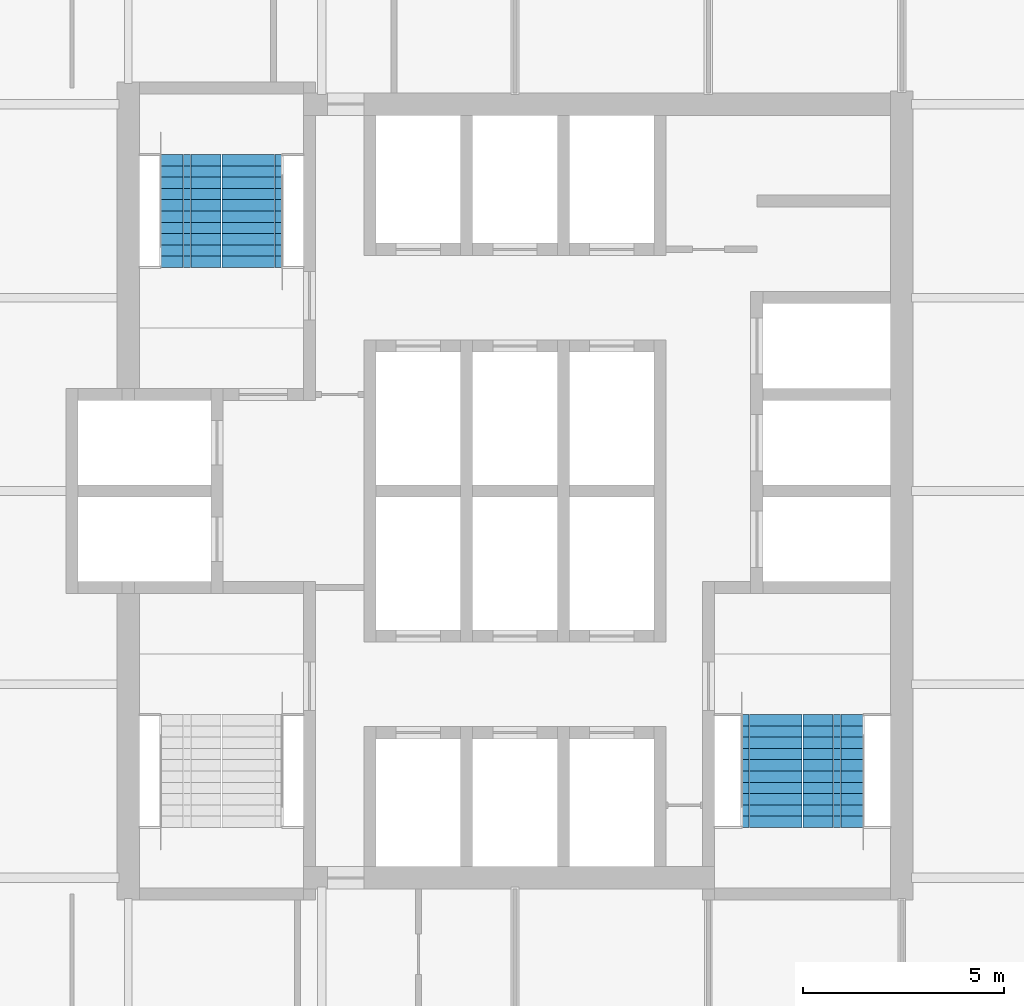
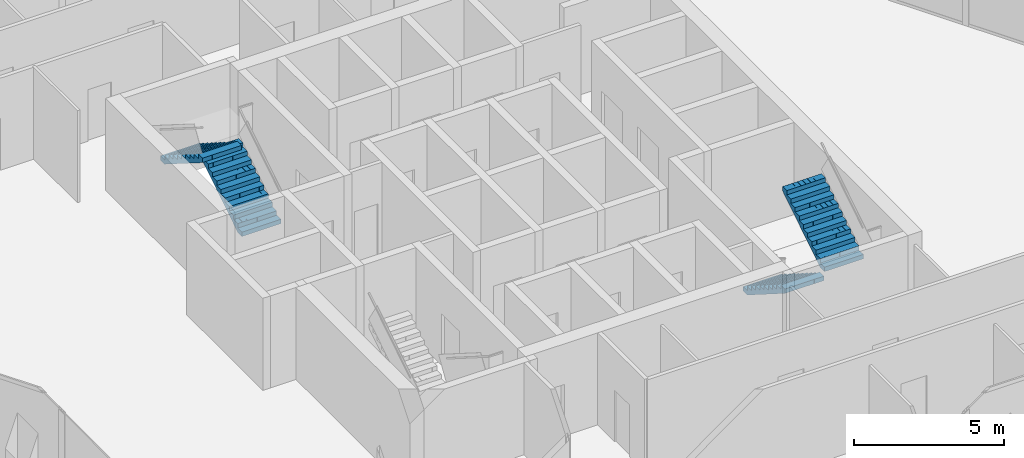
# One storey, part 11 of 13: 4 stair flights, 2 elements without a shape of their own.
"""IFC4 building model written with IfcOpenShell, lengths in metres."""

import ifcopenshell
import ifcopenshell.guid

model = None  # the IFC model being written
_history = None  # IfcOwnerHistory: only IFC2X3 demands one
_inside = {}  # id of a spatial element -> (the spatial element, [elements in it])
_under = {}  # id of a project, library or spatial element -> (it, [spatial elements below it])
_declared = {}  # id of a project -> (the project, [libraries it declares])
_typed = {}  # id of a type object -> (the type object, [elements of that type])
_made_of = {}  # id of a material, layer set ... -> (it, [elements and type objects made of it])


def new_model(schema):
    """Start an empty IFC model of exactly this schema.

    Asked for "IFC4X3", IfcOpenShell would pick the latest addendum, in which some entities
    have other attributes; the version numbers below select the first issue.
    IFC2X3 requires an IfcOwnerHistory on every rooted entity: one is made here for all.
    """
    global model, _history
    if schema == "IFC4X3":
        model = ifcopenshell.file(schema_version=(4, 3, 0, 0))
    else:
        model = ifcopenshell.file(schema=schema)
    _inside.clear()
    _under.clear()
    _declared.clear()
    _typed.clear()
    _made_of.clear()
    _history = None
    if model.schema == "IFC2X3":
        org = make("IfcOrganization", Name="unknown")
        user = make(
            "IfcPersonAndOrganization",
            ThePerson=make("IfcPerson", FamilyName="unknown"),
            TheOrganization=org,
        )
        app = make(
            "IfcApplication",
            ApplicationDeveloper=org,
            Version="unknown",
            ApplicationFullName="unknown",
            ApplicationIdentifier="unknown",
        )
        _history = make(
            "IfcOwnerHistory",
            OwningUser=user,
            OwningApplication=app,
            ChangeAction="ADDED",
            CreationDate=0,
        )
    return model


def make(cls, **values):
    """One entity of the class cls with the attributes given. An attribute that is None is left unset."""
    return model.create_entity(
        cls, **{name: value for name, value in values.items() if value is not None}
    )


def rooted(cls, **values):
    """An entity with a GlobalId (a new one), such as an element, a storey or a relation."""
    return make(cls, GlobalId=ifcopenshell.guid.new(), OwnerHistory=_history, **values)


def si_unit(unit_type, name, prefix=None):
    """IfcSIUnit, for example si_unit("LENGTHUNIT", "METRE", prefix="MILLI")."""
    return make("IfcSIUnit", UnitType=unit_type, Prefix=prefix, Name=name)


def assignment(units):
    """IfcUnitAssignment: the units of a project."""
    return None if units is None else make("IfcUnitAssignment", Units=units)


def point(xyz):
    """IfcCartesianPoint."""
    return None if xyz is None else make("IfcCartesianPoint", Coordinates=xyz)


def direction(xyz):
    """IfcDirection."""
    return None if xyz is None else make("IfcDirection", DirectionRatios=xyz)


def frame(location, z_axis=None, x_axis=None):
    """IfcAxis2Placement3D, a coordinate frame: its origin and axes. An axis left out is left unset."""
    return make(
        "IfcAxis2Placement3D",
        Location=point(location),
        Axis=direction(z_axis),
        RefDirection=direction(x_axis),
    )


def origin():
    """The frame at (0, 0, 0) with its axes left unset."""
    return frame((0.0, 0.0, 0.0))


def place(relative_to, where):
    """IfcLocalPlacement: puts the frame where relative to a parent placement (None: the world)."""
    return make(
        "IfcLocalPlacement", PlacementRelTo=relative_to, RelativePlacement=where
    )


def context(
    kind, dimensions, precision=None, world=None, true_north=None, identifier=None
):
    """IfcGeometricRepresentationContext, for example the 3D "Model" context."""
    return make(
        "IfcGeometricRepresentationContext",
        ContextIdentifier=identifier,
        ContextType=kind,
        CoordinateSpaceDimension=dimensions,
        Precision=precision,
        WorldCoordinateSystem=world,
        TrueNorth=true_north,
    )


def subcontext(parent, identifier, kind, view, scale=None):
    """IfcGeometricRepresentationSubContext, for example "Body" below "Model"."""
    return make(
        "IfcGeometricRepresentationSubContext",
        ContextIdentifier=identifier,
        ContextType=kind,
        ParentContext=parent,
        TargetScale=scale,
        TargetView=view,
    )


def project(units=None, contexts=None):
    """IfcProject with its units and contexts."""
    return rooted(
        "IfcProject",
        Name="project",
        RepresentationContexts=contexts,
        UnitsInContext=assignment(units),
    )


def spatial(cls, under=None, at=None, **own):
    """A site, building, storey or space (cls), placed at a placement, below another one or the project."""
    s = rooted(cls, ObjectPlacement=at, **own)
    if under is not None:
        _under.setdefault(under.id(), (under, []))[1].append(s)
    return s


def polyline(points):
    """IfcPolyline through the points."""
    return make("IfcPolyline", Points=[point(p) for p in points])


def outline(outer, holes=None, kind="AREA"):
    """IfcArbitraryClosedProfileDef: a profile drawn as a closed curve; with holes, ...WithVoids."""
    if holes is None:
        return make("IfcArbitraryClosedProfileDef", ProfileType=kind, OuterCurve=outer)
    return make(
        "IfcArbitraryProfileDefWithVoids",
        ProfileType=kind,
        OuterCurve=outer,
        InnerCurves=holes,
    )


def extrude(swept, where, along, depth):
    """IfcExtrudedAreaSolid: the profile swept, set in the frame where, extruded along a direction by depth."""
    return make(
        "IfcExtrudedAreaSolid",
        SweptArea=swept,
        Position=where,
        ExtrudedDirection=direction(along),
        Depth=depth,
    )


def shape(context_of_items, identifier, shape_type, items):
    """IfcShapeRepresentation: the items that make up one representation, for example the "Body"."""
    return make(
        "IfcShapeRepresentation",
        ContextOfItems=context_of_items,
        RepresentationIdentifier=identifier,
        RepresentationType=shape_type,
        Items=items,
    )


def material(Name=None, Category=None):
    """IfcMaterial."""
    return make("IfcMaterial", Name=Name, Category=Category)


def made_of(thing, what):
    """Note that an element or type object is made of a material, layer set ...; save() writes the relation."""
    if what is not None:
        _made_of.setdefault(what.id(), (what, []))[1].append(thing)
    return thing


def type_object(cls, material=None, **own):
    """A type object (cls), such as IfcWallType, which elements share."""
    return made_of(rooted(cls, **own), material)


def element(
    cls,
    number,
    at=None,
    inside=None,
    cuts=None,
    type_object=None,
    material=None,
    context=None,
    identifier="Body",
    shape_type=None,
    held_by="IfcProductDefinitionShape",
    body=None,
    shapes=None,
    **own,
):
    """One element of the class cls, such as IfcWall. Its Tag is "e" and its number.

    at: its placement. inside: the storey or other place that contains it. cuts: it is an
    opening in that element (IfcRelVoidsElement). A single representation is given by context,
    identifier, shape_type and body (its items); several are given by shapes. held_by: the class
    of the entity that holds the representations. save() writes the other relations.
    """
    e = rooted(cls, Tag="e%d" % number, ObjectPlacement=at, **own)
    if body is not None:
        shapes = [shape(context, identifier, shape_type, body)]
    if shapes is not None:
        e.Representation = make(held_by, Representations=shapes)
    if inside is not None:
        _inside.setdefault(inside.id(), (inside, []))[1].append(e)
    if cuts is not None:
        rooted(
            "IfcRelVoidsElement", RelatingBuildingElement=cuts, RelatedOpeningElement=e
        )
    if type_object is not None:
        _typed.setdefault(type_object.id(), (type_object, []))[1].append(e)
    return made_of(e, material)


def aggregate(whole, parts):
    """IfcRelAggregates: a whole, such as a stair, and the parts it consists of."""
    return rooted("IfcRelAggregates", RelatingObject=whole, RelatedObjects=parts)


def save(model, path):
    """Write the relations noted so far, then the file.

    IfcRelAggregates (storeys below a building ...), IfcRelContainedInSpatialStructure (elements
    in a storey), IfcRelDefinesByType, IfcRelAssociatesMaterial and IfcRelDeclares: one each for
    every whole, place, type object, material and project.
    """
    for whole, parts in _under.values():
        aggregate(whole, parts)
    for where, things in _inside.values():
        rooted(
            "IfcRelContainedInSpatialStructure",
            RelatedElements=things,
            RelatingStructure=where,
        )
    for kind, things in _typed.values():
        rooted("IfcRelDefinesByType", RelatedObjects=things, RelatingType=kind)
    for what, things in _made_of.values():
        rooted("IfcRelAssociatesMaterial", RelatedObjects=things, RelatingMaterial=what)
    for by, libraries in _declared.values():
        rooted("IfcRelDeclares", RelatingContext=by, RelatedDefinitions=libraries)
    model.write(path)


model = new_model("IFC4")

# Units and contexts
model_context = context("Model", 3, precision=1e-05, world=origin(), true_north=direction((0.0, 1.0)))
body_context = subcontext(model_context, "Body", "Model", "MODEL_VIEW")
ifc_project = project(units=[si_unit("LENGTHUNIT", "METRE"), si_unit("AREAUNIT", "SQUARE_METRE"), si_unit("VOLUMEUNIT", "CUBIC_METRE"), si_unit("PLANEANGLEUNIT", "RADIAN"), si_unit("MASSUNIT", "GRAM", prefix="KILO")], contexts=[model_context])

# Site, building, storey
site_placement = place(None, origin())
site = spatial("IfcSite", under=ifc_project, at=site_placement, CompositionType="ELEMENT")
building_placement = place(site_placement, origin())
building = spatial("IfcBuilding", under=site, at=building_placement, Name="Kolab Exchange Tower", CompositionType="ELEMENT")
storey_placement = place(building_placement, frame((0.0, 0.0, 289.10009765625)))
storey = spatial("IfcBuildingStorey", under=building, at=storey_placement, Name="L65", CompositionType="ELEMENT", Elevation=289.10009765625)

# Stair, stair flights
ifc_material = material(Name="Concrete C50/60", Category="concrete")
stair_type_1 = type_object("IfcStairType", Name="STAIR ST1 RISER 177.3", PredefinedType="HALF_TURN_STAIR", material=ifc_material)
stair_1_placement = place(storey_placement, origin())
stair_1 = element("IfcStair", 1, at=stair_1_placement, inside=storey, type_object=stair_type_1, Name="Stair 1", PredefinedType="HALF_TURN_STAIR")
stair_flight_type = type_object("IfcStairFlightType", Name="STAIR FLIGHT 1500 RISER 177.3", PredefinedType="STRAIGHT", material=ifc_material)
stair_flight_1_placement = place(storey_placement, frame((-6.527587890625, 5.550048828125, 0.0), z_axis=(0.0, 0.0, 1.0), x_axis=(0.0, 1.0, 0.0)))
stair_flight_1 = element("IfcStairFlight", 2, at=stair_flight_1_placement, type_object=stair_flight_type, Name="ST1 flight 1", NumberOfRisers=11, NumberOfTreads=10, PredefinedType="STRAIGHT", RiserHeight=0.177272727, TreadLength=0.28, context=body_context, shape_type="SweptSolid", body=[
    extrude(outline(polyline([(0.0, 0.0), (0.0, 0.17724609375), (0.280029296875, 0.17724609375), (0.280029296875, 0.3544921875), (0.56005859375, 0.3544921875), (0.56005859375, 0.53173828125), (0.840087890625, 0.53173828125), (0.840087890625, 0.708984375), (1.1201171875, 0.708984375), (1.1201171875, 0.886474609375), (1.39990234375, 0.886474609375), (1.39990234375, 1.063720703125), (1.679931640625, 1.063720703125), (1.679931640625, 1.240966796875), (1.9599609375, 1.240966796875), (1.9599609375, 1.418212890625), (2.239990234375, 1.418212890625), (2.239990234375, 1.595458984375), (2.52001953125, 1.595458984375), (2.52001953125, 1.772705078125), (2.800048828125, 1.772705078125), (2.800048828125, 1.949951171875), (2.800048828125, 1.59521484375), (0.2802734375, 0.0), (0.0, 0.0)])), frame((0.0, 0.75, 0.0), z_axis=(0.0, -1.0, 0.0), x_axis=(1.0, 0.0, 0.0)), (0.0, 0.0, 1.0), 0.185791015625),
    extrude(outline(polyline([(0.0, 0.0), (0.0, 0.17724609375), (0.280029296875, 0.17724609375), (0.280029296875, 0.3544921875), (0.56005859375, 0.3544921875), (0.56005859375, 0.53173828125), (0.840087890625, 0.53173828125), (0.840087890625, 0.708984375), (1.1201171875, 0.708984375), (1.1201171875, 0.886474609375), (1.39990234375, 0.886474609375), (1.39990234375, 1.063720703125), (1.679931640625, 1.063720703125), (1.679931640625, 1.240966796875), (1.9599609375, 1.240966796875), (1.9599609375, 1.418212890625), (2.239990234375, 1.418212890625), (2.239990234375, 1.595458984375), (2.52001953125, 1.595458984375), (2.52001953125, 1.772705078125), (2.800048828125, 1.772705078125), (2.800048828125, 1.949951171875), (2.800048828125, 1.59521484375), (0.2802734375, 0.0), (0.0, 0.0)])), frame((0.0, 0.562255859375, 0.0), z_axis=(0.0, -1.0, 0.0), x_axis=(1.0, 0.0, 0.0)), (0.0, 0.0, 1.0), 0.185791015625),
    extrude(outline(polyline([(0.0, 0.0), (0.0, 0.17724609375), (0.280029296875, 0.17724609375), (0.280029296875, 0.3544921875), (0.56005859375, 0.3544921875), (0.56005859375, 0.53173828125), (0.840087890625, 0.53173828125), (0.840087890625, 0.708984375), (1.1201171875, 0.708984375), (1.1201171875, 0.886474609375), (1.39990234375, 0.886474609375), (1.39990234375, 1.063720703125), (1.679931640625, 1.063720703125), (1.679931640625, 1.240966796875), (1.9599609375, 1.240966796875), (1.9599609375, 1.418212890625), (2.239990234375, 1.418212890625), (2.239990234375, 1.595458984375), (2.52001953125, 1.595458984375), (2.52001953125, 1.772705078125), (2.800048828125, 1.772705078125), (2.800048828125, 1.949951171875), (2.800048828125, 1.59521484375), (0.2802734375, 0.0), (0.0, 0.0)])), frame((0.0, 0.37451171875, 0.0), z_axis=(0.0, -1.0, 0.0), x_axis=(1.0, 0.0, 0.0)), (0.0, 0.0, 1.0), 0.185791015625),
    extrude(outline(polyline([(0.0, 0.0), (0.0, 0.17724609375), (0.280029296875, 0.17724609375), (0.280029296875, 0.3544921875), (0.56005859375, 0.3544921875), (0.56005859375, 0.53173828125), (0.840087890625, 0.53173828125), (0.840087890625, 0.708984375), (1.1201171875, 0.708984375), (1.1201171875, 0.886474609375), (1.39990234375, 0.886474609375), (1.39990234375, 1.063720703125), (1.679931640625, 1.063720703125), (1.679931640625, 1.240966796875), (1.9599609375, 1.240966796875), (1.9599609375, 1.418212890625), (2.239990234375, 1.418212890625), (2.239990234375, 1.595458984375), (2.52001953125, 1.595458984375), (2.52001953125, 1.772705078125), (2.800048828125, 1.772705078125), (2.800048828125, 1.949951171875), (2.800048828125, 1.59521484375), (0.2802734375, 0.0), (0.0, 0.0)])), frame((0.0, 0.186767578125, 0.0), z_axis=(0.0, -1.0, 0.0), x_axis=(1.0, 0.0, 0.0)), (0.0, 0.0, 1.0), 0.185791015625),
    extrude(outline(polyline([(0.0, 0.0), (0.0, 0.17724609375), (0.280029296875, 0.17724609375), (0.280029296875, 0.3544921875), (0.56005859375, 0.3544921875), (0.56005859375, 0.53173828125), (0.840087890625, 0.53173828125), (0.840087890625, 0.708984375), (1.1201171875, 0.708984375), (1.1201171875, 0.886474609375), (1.39990234375, 0.886474609375), (1.39990234375, 1.063720703125), (1.679931640625, 1.063720703125), (1.679931640625, 1.240966796875), (1.9599609375, 1.240966796875), (1.9599609375, 1.418212890625), (2.239990234375, 1.418212890625), (2.239990234375, 1.595458984375), (2.52001953125, 1.595458984375), (2.52001953125, 1.772705078125), (2.800048828125, 1.772705078125), (2.800048828125, 1.949951171875), (2.800048828125, 1.59521484375), (0.2802734375, 0.0), (0.0, 0.0)])), frame((0.0, -0.0009765625, 0.0), z_axis=(0.0, -1.0, 0.0), x_axis=(1.0, 0.0, 0.0)), (0.0, 0.0, 1.0), 0.185791015625),
    extrude(outline(polyline([(0.0, 0.0), (0.0, 0.17724609375), (0.280029296875, 0.17724609375), (0.280029296875, 0.3544921875), (0.56005859375, 0.3544921875), (0.56005859375, 0.53173828125), (0.840087890625, 0.53173828125), (0.840087890625, 0.708984375), (1.1201171875, 0.708984375), (1.1201171875, 0.886474609375), (1.39990234375, 0.886474609375), (1.39990234375, 1.063720703125), (1.679931640625, 1.063720703125), (1.679931640625, 1.240966796875), (1.9599609375, 1.240966796875), (1.9599609375, 1.418212890625), (2.239990234375, 1.418212890625), (2.239990234375, 1.595458984375), (2.52001953125, 1.595458984375), (2.52001953125, 1.772705078125), (2.800048828125, 1.772705078125), (2.800048828125, 1.949951171875), (2.800048828125, 1.59521484375), (0.2802734375, 0.0), (0.0, 0.0)])), frame((0.0, -0.188720703125, 0.0), z_axis=(0.0, -1.0, 0.0), x_axis=(1.0, 0.0, 0.0)), (0.0, 0.0, 1.0), 0.185791015625),
    extrude(outline(polyline([(0.0, 0.0), (0.0, 0.17724609375), (0.280029296875, 0.17724609375), (0.280029296875, 0.3544921875), (0.56005859375, 0.3544921875), (0.56005859375, 0.53173828125), (0.840087890625, 0.53173828125), (0.840087890625, 0.708984375), (1.1201171875, 0.708984375), (1.1201171875, 0.886474609375), (1.39990234375, 0.886474609375), (1.39990234375, 1.063720703125), (1.679931640625, 1.063720703125), (1.679931640625, 1.240966796875), (1.9599609375, 1.240966796875), (1.9599609375, 1.418212890625), (2.239990234375, 1.418212890625), (2.239990234375, 1.595458984375), (2.52001953125, 1.595458984375), (2.52001953125, 1.772705078125), (2.800048828125, 1.772705078125), (2.800048828125, 1.949951171875), (2.800048828125, 1.59521484375), (0.2802734375, 0.0), (0.0, 0.0)])), frame((0.0, -0.37646484375, 0.0), z_axis=(0.0, -1.0, 0.0), x_axis=(1.0, 0.0, 0.0)), (0.0, 0.0, 1.0), 0.185791015625),
    extrude(outline(polyline([(0.0, 0.0), (0.0, 0.17724609375), (0.280029296875, 0.17724609375), (0.280029296875, 0.3544921875), (0.56005859375, 0.3544921875), (0.56005859375, 0.53173828125), (0.840087890625, 0.53173828125), (0.840087890625, 0.708984375), (1.1201171875, 0.708984375), (1.1201171875, 0.886474609375), (1.39990234375, 0.886474609375), (1.39990234375, 1.063720703125), (1.679931640625, 1.063720703125), (1.679931640625, 1.240966796875), (1.9599609375, 1.240966796875), (1.9599609375, 1.418212890625), (2.239990234375, 1.418212890625), (2.239990234375, 1.595458984375), (2.52001953125, 1.595458984375), (2.52001953125, 1.772705078125), (2.800048828125, 1.772705078125), (2.800048828125, 1.949951171875), (2.800048828125, 1.59521484375), (0.2802734375, 0.0), (0.0, 0.0)])), frame((0.0, -0.564208984375, 0.0), z_axis=(0.0, -1.0, 0.0), x_axis=(1.0, 0.0, 0.0)), (0.0, 0.0, 1.0), 0.185791015625),
])
stair_flight_2_placement = place(storey_placement, frame((-8.047607421875, 8.35009765625, 1.949951171875), z_axis=(0.0, 0.0, 1.0), x_axis=(0.0, -1.0, 0.0)))
stair_flight_2 = element("IfcStairFlight", 3, at=stair_flight_2_placement, type_object=stair_flight_type, Name="ST1 flight 2", NumberOfRisers=11, NumberOfTreads=10, PredefinedType="STRAIGHT", RiserHeight=0.177272727, TreadLength=0.28, context=body_context, shape_type="SweptSolid", body=[
    extrude(outline(polyline([(0.0, 0.0), (0.0, 0.17724609375), (0.280029296875, 0.17724609375), (0.280029296875, 0.3544921875), (0.56005859375, 0.3544921875), (0.56005859375, 0.53173828125), (0.840087890625, 0.53173828125), (0.840087890625, 0.708984375), (1.1201171875, 0.708984375), (1.1201171875, 0.886474609375), (1.39990234375, 0.886474609375), (1.39990234375, 1.063720703125), (1.679931640625, 1.063720703125), (1.679931640625, 1.240966796875), (1.9599609375, 1.240966796875), (1.9599609375, 1.418212890625), (2.239990234375, 1.418212890625), (2.239990234375, 1.595458984375), (2.52001953125, 1.595458984375), (2.52001953125, 1.772705078125), (2.800048828125, 1.772705078125), (2.800048828125, 1.949951171875), (2.800048828125, 1.59521484375), (0.2802734375, 0.0), (0.0, 0.0)])), frame((0.0, 0.75, 0.0), z_axis=(0.0, -1.0, 0.0), x_axis=(1.0, 0.0, 0.0)), (0.0, 0.0, 1.0), 0.185791015625),
    extrude(outline(polyline([(0.0, 0.0), (0.0, 0.17724609375), (0.280029296875, 0.17724609375), (0.280029296875, 0.3544921875), (0.56005859375, 0.3544921875), (0.56005859375, 0.53173828125), (0.840087890625, 0.53173828125), (0.840087890625, 0.708984375), (1.1201171875, 0.708984375), (1.1201171875, 0.886474609375), (1.39990234375, 0.886474609375), (1.39990234375, 1.063720703125), (1.679931640625, 1.063720703125), (1.679931640625, 1.240966796875), (1.9599609375, 1.240966796875), (1.9599609375, 1.418212890625), (2.239990234375, 1.418212890625), (2.239990234375, 1.595458984375), (2.52001953125, 1.595458984375), (2.52001953125, 1.772705078125), (2.800048828125, 1.772705078125), (2.800048828125, 1.949951171875), (2.800048828125, 1.59521484375), (0.2802734375, 0.0), (0.0, 0.0)])), frame((0.0, 0.562255859375, 0.0), z_axis=(0.0, -1.0, 0.0), x_axis=(1.0, 0.0, 0.0)), (0.0, 0.0, 1.0), 0.185791015625),
    extrude(outline(polyline([(0.0, 0.0), (0.0, 0.17724609375), (0.280029296875, 0.17724609375), (0.280029296875, 0.3544921875), (0.56005859375, 0.3544921875), (0.56005859375, 0.53173828125), (0.840087890625, 0.53173828125), (0.840087890625, 0.708984375), (1.1201171875, 0.708984375), (1.1201171875, 0.886474609375), (1.39990234375, 0.886474609375), (1.39990234375, 1.063720703125), (1.679931640625, 1.063720703125), (1.679931640625, 1.240966796875), (1.9599609375, 1.240966796875), (1.9599609375, 1.418212890625), (2.239990234375, 1.418212890625), (2.239990234375, 1.595458984375), (2.52001953125, 1.595458984375), (2.52001953125, 1.772705078125), (2.800048828125, 1.772705078125), (2.800048828125, 1.949951171875), (2.800048828125, 1.59521484375), (0.2802734375, 0.0), (0.0, 0.0)])), frame((0.0, 0.37451171875, 0.0), z_axis=(0.0, -1.0, 0.0), x_axis=(1.0, 0.0, 0.0)), (0.0, 0.0, 1.0), 0.185791015625),
    extrude(outline(polyline([(0.0, 0.0), (0.0, 0.17724609375), (0.280029296875, 0.17724609375), (0.280029296875, 0.3544921875), (0.56005859375, 0.3544921875), (0.56005859375, 0.53173828125), (0.840087890625, 0.53173828125), (0.840087890625, 0.708984375), (1.1201171875, 0.708984375), (1.1201171875, 0.886474609375), (1.39990234375, 0.886474609375), (1.39990234375, 1.063720703125), (1.679931640625, 1.063720703125), (1.679931640625, 1.240966796875), (1.9599609375, 1.240966796875), (1.9599609375, 1.418212890625), (2.239990234375, 1.418212890625), (2.239990234375, 1.595458984375), (2.52001953125, 1.595458984375), (2.52001953125, 1.772705078125), (2.800048828125, 1.772705078125), (2.800048828125, 1.949951171875), (2.800048828125, 1.59521484375), (0.2802734375, 0.0), (0.0, 0.0)])), frame((0.0, 0.186767578125, 0.0), z_axis=(0.0, -1.0, 0.0), x_axis=(1.0, 0.0, 0.0)), (0.0, 0.0, 1.0), 0.185791015625),
    extrude(outline(polyline([(0.0, 0.0), (0.0, 0.17724609375), (0.280029296875, 0.17724609375), (0.280029296875, 0.3544921875), (0.56005859375, 0.3544921875), (0.56005859375, 0.53173828125), (0.840087890625, 0.53173828125), (0.840087890625, 0.708984375), (1.1201171875, 0.708984375), (1.1201171875, 0.886474609375), (1.39990234375, 0.886474609375), (1.39990234375, 1.063720703125), (1.679931640625, 1.063720703125), (1.679931640625, 1.240966796875), (1.9599609375, 1.240966796875), (1.9599609375, 1.418212890625), (2.239990234375, 1.418212890625), (2.239990234375, 1.595458984375), (2.52001953125, 1.595458984375), (2.52001953125, 1.772705078125), (2.800048828125, 1.772705078125), (2.800048828125, 1.949951171875), (2.800048828125, 1.59521484375), (0.2802734375, 0.0), (0.0, 0.0)])), frame((0.0, -0.0009765625, 0.0), z_axis=(0.0, -1.0, 0.0), x_axis=(1.0, 0.0, 0.0)), (0.0, 0.0, 1.0), 0.185791015625),
    extrude(outline(polyline([(0.0, 0.0), (0.0, 0.17724609375), (0.280029296875, 0.17724609375), (0.280029296875, 0.3544921875), (0.56005859375, 0.3544921875), (0.56005859375, 0.53173828125), (0.840087890625, 0.53173828125), (0.840087890625, 0.708984375), (1.1201171875, 0.708984375), (1.1201171875, 0.886474609375), (1.39990234375, 0.886474609375), (1.39990234375, 1.063720703125), (1.679931640625, 1.063720703125), (1.679931640625, 1.240966796875), (1.9599609375, 1.240966796875), (1.9599609375, 1.418212890625), (2.239990234375, 1.418212890625), (2.239990234375, 1.595458984375), (2.52001953125, 1.595458984375), (2.52001953125, 1.772705078125), (2.800048828125, 1.772705078125), (2.800048828125, 1.949951171875), (2.800048828125, 1.59521484375), (0.2802734375, 0.0), (0.0, 0.0)])), frame((0.0, -0.188720703125, 0.0), z_axis=(0.0, -1.0, 0.0), x_axis=(1.0, 0.0, 0.0)), (0.0, 0.0, 1.0), 0.185791015625),
    extrude(outline(polyline([(0.0, 0.0), (0.0, 0.17724609375), (0.280029296875, 0.17724609375), (0.280029296875, 0.3544921875), (0.56005859375, 0.3544921875), (0.56005859375, 0.53173828125), (0.840087890625, 0.53173828125), (0.840087890625, 0.708984375), (1.1201171875, 0.708984375), (1.1201171875, 0.886474609375), (1.39990234375, 0.886474609375), (1.39990234375, 1.063720703125), (1.679931640625, 1.063720703125), (1.679931640625, 1.240966796875), (1.9599609375, 1.240966796875), (1.9599609375, 1.418212890625), (2.239990234375, 1.418212890625), (2.239990234375, 1.595458984375), (2.52001953125, 1.595458984375), (2.52001953125, 1.772705078125), (2.800048828125, 1.772705078125), (2.800048828125, 1.949951171875), (2.800048828125, 1.59521484375), (0.2802734375, 0.0), (0.0, 0.0)])), frame((0.0, -0.37646484375, 0.0), z_axis=(0.0, -1.0, 0.0), x_axis=(1.0, 0.0, 0.0)), (0.0, 0.0, 1.0), 0.185791015625),
    extrude(outline(polyline([(0.0, 0.0), (0.0, 0.17724609375), (0.280029296875, 0.17724609375), (0.280029296875, 0.3544921875), (0.56005859375, 0.3544921875), (0.56005859375, 0.53173828125), (0.840087890625, 0.53173828125), (0.840087890625, 0.708984375), (1.1201171875, 0.708984375), (1.1201171875, 0.886474609375), (1.39990234375, 0.886474609375), (1.39990234375, 1.063720703125), (1.679931640625, 1.063720703125), (1.679931640625, 1.240966796875), (1.9599609375, 1.240966796875), (1.9599609375, 1.418212890625), (2.239990234375, 1.418212890625), (2.239990234375, 1.595458984375), (2.52001953125, 1.595458984375), (2.52001953125, 1.772705078125), (2.800048828125, 1.772705078125), (2.800048828125, 1.949951171875), (2.800048828125, 1.59521484375), (0.2802734375, 0.0), (0.0, 0.0)])), frame((0.0, -0.564208984375, 0.0), z_axis=(0.0, -1.0, 0.0), x_axis=(1.0, 0.0, 0.0)), (0.0, 0.0, 1.0), 0.185791015625),
])
aggregate(stair_1, [stair_flight_1, stair_flight_2])

stair_type_2 = type_object("IfcStairType", Name="STAIR ST2 RISER 177.3", PredefinedType="HALF_TURN_STAIR", material=ifc_material)
stair_2_placement = place(storey_placement, origin())
stair_2 = element("IfcStair", 4, at=stair_2_placement, inside=storey, type_object=stair_type_2, Name="Stair 2", PredefinedType="HALF_TURN_STAIR")
stair_flight_3_placement = place(storey_placement, frame((6.37744140625, -5.550048828125, 0.0), z_axis=(0.0, 0.0, 1.0), x_axis=(0.0, -1.0, 0.0)))
stair_flight_3 = element("IfcStairFlight", 5, at=stair_flight_3_placement, type_object=stair_flight_type, Name="ST2 flight 1", NumberOfRisers=11, NumberOfTreads=10, PredefinedType="STRAIGHT", RiserHeight=0.177272727, TreadLength=0.28, context=body_context, shape_type="SweptSolid", body=[
    extrude(outline(polyline([(0.0, 0.0), (0.0, 0.17724609375), (0.280029296875, 0.17724609375), (0.280029296875, 0.3544921875), (0.56005859375, 0.3544921875), (0.56005859375, 0.53173828125), (0.840087890625, 0.53173828125), (0.840087890625, 0.708984375), (1.1201171875, 0.708984375), (1.1201171875, 0.886474609375), (1.39990234375, 0.886474609375), (1.39990234375, 1.063720703125), (1.679931640625, 1.063720703125), (1.679931640625, 1.240966796875), (1.9599609375, 1.240966796875), (1.9599609375, 1.418212890625), (2.239990234375, 1.418212890625), (2.239990234375, 1.595458984375), (2.52001953125, 1.595458984375), (2.52001953125, 1.772705078125), (2.800048828125, 1.772705078125), (2.800048828125, 1.949951171875), (2.800048828125, 1.59521484375), (0.2802734375, 0.0), (0.0, 0.0)])), frame((0.0, 0.75, 0.0), z_axis=(0.0, -1.0, 0.0), x_axis=(1.0, 0.0, 0.0)), (0.0, 0.0, 1.0), 0.185791015625),
    extrude(outline(polyline([(0.0, 0.0), (0.0, 0.17724609375), (0.280029296875, 0.17724609375), (0.280029296875, 0.3544921875), (0.56005859375, 0.3544921875), (0.56005859375, 0.53173828125), (0.840087890625, 0.53173828125), (0.840087890625, 0.708984375), (1.1201171875, 0.708984375), (1.1201171875, 0.886474609375), (1.39990234375, 0.886474609375), (1.39990234375, 1.063720703125), (1.679931640625, 1.063720703125), (1.679931640625, 1.240966796875), (1.9599609375, 1.240966796875), (1.9599609375, 1.418212890625), (2.239990234375, 1.418212890625), (2.239990234375, 1.595458984375), (2.52001953125, 1.595458984375), (2.52001953125, 1.772705078125), (2.800048828125, 1.772705078125), (2.800048828125, 1.949951171875), (2.800048828125, 1.59521484375), (0.2802734375, 0.0), (0.0, 0.0)])), frame((0.0, 0.562255859375, 0.0), z_axis=(0.0, -1.0, 0.0), x_axis=(1.0, 0.0, 0.0)), (0.0, 0.0, 1.0), 0.185791015625),
    extrude(outline(polyline([(0.0, 0.0), (0.0, 0.17724609375), (0.280029296875, 0.17724609375), (0.280029296875, 0.3544921875), (0.56005859375, 0.3544921875), (0.56005859375, 0.53173828125), (0.840087890625, 0.53173828125), (0.840087890625, 0.708984375), (1.1201171875, 0.708984375), (1.1201171875, 0.886474609375), (1.39990234375, 0.886474609375), (1.39990234375, 1.063720703125), (1.679931640625, 1.063720703125), (1.679931640625, 1.240966796875), (1.9599609375, 1.240966796875), (1.9599609375, 1.418212890625), (2.239990234375, 1.418212890625), (2.239990234375, 1.595458984375), (2.52001953125, 1.595458984375), (2.52001953125, 1.772705078125), (2.800048828125, 1.772705078125), (2.800048828125, 1.949951171875), (2.800048828125, 1.59521484375), (0.2802734375, 0.0), (0.0, 0.0)])), frame((0.0, 0.37451171875, 0.0), z_axis=(0.0, -1.0, 0.0), x_axis=(1.0, 0.0, 0.0)), (0.0, 0.0, 1.0), 0.185791015625),
    extrude(outline(polyline([(0.0, 0.0), (0.0, 0.17724609375), (0.280029296875, 0.17724609375), (0.280029296875, 0.3544921875), (0.56005859375, 0.3544921875), (0.56005859375, 0.53173828125), (0.840087890625, 0.53173828125), (0.840087890625, 0.708984375), (1.1201171875, 0.708984375), (1.1201171875, 0.886474609375), (1.39990234375, 0.886474609375), (1.39990234375, 1.063720703125), (1.679931640625, 1.063720703125), (1.679931640625, 1.240966796875), (1.9599609375, 1.240966796875), (1.9599609375, 1.418212890625), (2.239990234375, 1.418212890625), (2.239990234375, 1.595458984375), (2.52001953125, 1.595458984375), (2.52001953125, 1.772705078125), (2.800048828125, 1.772705078125), (2.800048828125, 1.949951171875), (2.800048828125, 1.59521484375), (0.2802734375, 0.0), (0.0, 0.0)])), frame((0.0, 0.186767578125, 0.0), z_axis=(0.0, -1.0, 0.0), x_axis=(1.0, 0.0, 0.0)), (0.0, 0.0, 1.0), 0.185791015625),
    extrude(outline(polyline([(0.0, 0.0), (0.0, 0.17724609375), (0.280029296875, 0.17724609375), (0.280029296875, 0.3544921875), (0.56005859375, 0.3544921875), (0.56005859375, 0.53173828125), (0.840087890625, 0.53173828125), (0.840087890625, 0.708984375), (1.1201171875, 0.708984375), (1.1201171875, 0.886474609375), (1.39990234375, 0.886474609375), (1.39990234375, 1.063720703125), (1.679931640625, 1.063720703125), (1.679931640625, 1.240966796875), (1.9599609375, 1.240966796875), (1.9599609375, 1.418212890625), (2.239990234375, 1.418212890625), (2.239990234375, 1.595458984375), (2.52001953125, 1.595458984375), (2.52001953125, 1.772705078125), (2.800048828125, 1.772705078125), (2.800048828125, 1.949951171875), (2.800048828125, 1.59521484375), (0.2802734375, 0.0), (0.0, 0.0)])), frame((0.0, -0.0009765625, 0.0), z_axis=(0.0, -1.0, 0.0), x_axis=(1.0, 0.0, 0.0)), (0.0, 0.0, 1.0), 0.185791015625),
    extrude(outline(polyline([(0.0, 0.0), (0.0, 0.17724609375), (0.280029296875, 0.17724609375), (0.280029296875, 0.3544921875), (0.56005859375, 0.3544921875), (0.56005859375, 0.53173828125), (0.840087890625, 0.53173828125), (0.840087890625, 0.708984375), (1.1201171875, 0.708984375), (1.1201171875, 0.886474609375), (1.39990234375, 0.886474609375), (1.39990234375, 1.063720703125), (1.679931640625, 1.063720703125), (1.679931640625, 1.240966796875), (1.9599609375, 1.240966796875), (1.9599609375, 1.418212890625), (2.239990234375, 1.418212890625), (2.239990234375, 1.595458984375), (2.52001953125, 1.595458984375), (2.52001953125, 1.772705078125), (2.800048828125, 1.772705078125), (2.800048828125, 1.949951171875), (2.800048828125, 1.59521484375), (0.2802734375, 0.0), (0.0, 0.0)])), frame((0.0, -0.188720703125, 0.0), z_axis=(0.0, -1.0, 0.0), x_axis=(1.0, 0.0, 0.0)), (0.0, 0.0, 1.0), 0.185791015625),
    extrude(outline(polyline([(0.0, 0.0), (0.0, 0.17724609375), (0.280029296875, 0.17724609375), (0.280029296875, 0.3544921875), (0.56005859375, 0.3544921875), (0.56005859375, 0.53173828125), (0.840087890625, 0.53173828125), (0.840087890625, 0.708984375), (1.1201171875, 0.708984375), (1.1201171875, 0.886474609375), (1.39990234375, 0.886474609375), (1.39990234375, 1.063720703125), (1.679931640625, 1.063720703125), (1.679931640625, 1.240966796875), (1.9599609375, 1.240966796875), (1.9599609375, 1.418212890625), (2.239990234375, 1.418212890625), (2.239990234375, 1.595458984375), (2.52001953125, 1.595458984375), (2.52001953125, 1.772705078125), (2.800048828125, 1.772705078125), (2.800048828125, 1.949951171875), (2.800048828125, 1.59521484375), (0.2802734375, 0.0), (0.0, 0.0)])), frame((0.0, -0.37646484375, 0.0), z_axis=(0.0, -1.0, 0.0), x_axis=(1.0, 0.0, 0.0)), (0.0, 0.0, 1.0), 0.185791015625),
    extrude(outline(polyline([(0.0, 0.0), (0.0, 0.17724609375), (0.280029296875, 0.17724609375), (0.280029296875, 0.3544921875), (0.56005859375, 0.3544921875), (0.56005859375, 0.53173828125), (0.840087890625, 0.53173828125), (0.840087890625, 0.708984375), (1.1201171875, 0.708984375), (1.1201171875, 0.886474609375), (1.39990234375, 0.886474609375), (1.39990234375, 1.063720703125), (1.679931640625, 1.063720703125), (1.679931640625, 1.240966796875), (1.9599609375, 1.240966796875), (1.9599609375, 1.418212890625), (2.239990234375, 1.418212890625), (2.239990234375, 1.595458984375), (2.52001953125, 1.595458984375), (2.52001953125, 1.772705078125), (2.800048828125, 1.772705078125), (2.800048828125, 1.949951171875), (2.800048828125, 1.59521484375), (0.2802734375, 0.0), (0.0, 0.0)])), frame((0.0, -0.564208984375, 0.0), z_axis=(0.0, -1.0, 0.0), x_axis=(1.0, 0.0, 0.0)), (0.0, 0.0, 1.0), 0.185791015625),
])
stair_flight_4_placement = place(storey_placement, frame((7.8974609375, -8.35009765625, 1.949951171875), z_axis=(0.0, 0.0, 1.0), x_axis=(0.0, 1.0, 0.0)))
stair_flight_4 = element("IfcStairFlight", 6, at=stair_flight_4_placement, type_object=stair_flight_type, Name="ST2 flight 2", NumberOfRisers=11, NumberOfTreads=10, PredefinedType="STRAIGHT", RiserHeight=0.177272727, TreadLength=0.28, context=body_context, shape_type="SweptSolid", body=[
    extrude(outline(polyline([(0.0, 0.0), (0.0, 0.17724609375), (0.280029296875, 0.17724609375), (0.280029296875, 0.3544921875), (0.56005859375, 0.3544921875), (0.56005859375, 0.53173828125), (0.840087890625, 0.53173828125), (0.840087890625, 0.708984375), (1.1201171875, 0.708984375), (1.1201171875, 0.886474609375), (1.39990234375, 0.886474609375), (1.39990234375, 1.063720703125), (1.679931640625, 1.063720703125), (1.679931640625, 1.240966796875), (1.9599609375, 1.240966796875), (1.9599609375, 1.418212890625), (2.239990234375, 1.418212890625), (2.239990234375, 1.595458984375), (2.52001953125, 1.595458984375), (2.52001953125, 1.772705078125), (2.800048828125, 1.772705078125), (2.800048828125, 1.949951171875), (2.800048828125, 1.59521484375), (0.2802734375, 0.0), (0.0, 0.0)])), frame((0.0, 0.75, 0.0), z_axis=(0.0, -1.0, 0.0), x_axis=(1.0, 0.0, 0.0)), (0.0, 0.0, 1.0), 0.185791015625),
    extrude(outline(polyline([(0.0, 0.0), (0.0, 0.17724609375), (0.280029296875, 0.17724609375), (0.280029296875, 0.3544921875), (0.56005859375, 0.3544921875), (0.56005859375, 0.53173828125), (0.840087890625, 0.53173828125), (0.840087890625, 0.708984375), (1.1201171875, 0.708984375), (1.1201171875, 0.886474609375), (1.39990234375, 0.886474609375), (1.39990234375, 1.063720703125), (1.679931640625, 1.063720703125), (1.679931640625, 1.240966796875), (1.9599609375, 1.240966796875), (1.9599609375, 1.418212890625), (2.239990234375, 1.418212890625), (2.239990234375, 1.595458984375), (2.52001953125, 1.595458984375), (2.52001953125, 1.772705078125), (2.800048828125, 1.772705078125), (2.800048828125, 1.949951171875), (2.800048828125, 1.59521484375), (0.2802734375, 0.0), (0.0, 0.0)])), frame((0.0, 0.562255859375, 0.0), z_axis=(0.0, -1.0, 0.0), x_axis=(1.0, 0.0, 0.0)), (0.0, 0.0, 1.0), 0.185791015625),
    extrude(outline(polyline([(0.0, 0.0), (0.0, 0.17724609375), (0.280029296875, 0.17724609375), (0.280029296875, 0.3544921875), (0.56005859375, 0.3544921875), (0.56005859375, 0.53173828125), (0.840087890625, 0.53173828125), (0.840087890625, 0.708984375), (1.1201171875, 0.708984375), (1.1201171875, 0.886474609375), (1.39990234375, 0.886474609375), (1.39990234375, 1.063720703125), (1.679931640625, 1.063720703125), (1.679931640625, 1.240966796875), (1.9599609375, 1.240966796875), (1.9599609375, 1.418212890625), (2.239990234375, 1.418212890625), (2.239990234375, 1.595458984375), (2.52001953125, 1.595458984375), (2.52001953125, 1.772705078125), (2.800048828125, 1.772705078125), (2.800048828125, 1.949951171875), (2.800048828125, 1.59521484375), (0.2802734375, 0.0), (0.0, 0.0)])), frame((0.0, 0.37451171875, 0.0), z_axis=(0.0, -1.0, 0.0), x_axis=(1.0, 0.0, 0.0)), (0.0, 0.0, 1.0), 0.185791015625),
    extrude(outline(polyline([(0.0, 0.0), (0.0, 0.17724609375), (0.280029296875, 0.17724609375), (0.280029296875, 0.3544921875), (0.56005859375, 0.3544921875), (0.56005859375, 0.53173828125), (0.840087890625, 0.53173828125), (0.840087890625, 0.708984375), (1.1201171875, 0.708984375), (1.1201171875, 0.886474609375), (1.39990234375, 0.886474609375), (1.39990234375, 1.063720703125), (1.679931640625, 1.063720703125), (1.679931640625, 1.240966796875), (1.9599609375, 1.240966796875), (1.9599609375, 1.418212890625), (2.239990234375, 1.418212890625), (2.239990234375, 1.595458984375), (2.52001953125, 1.595458984375), (2.52001953125, 1.772705078125), (2.800048828125, 1.772705078125), (2.800048828125, 1.949951171875), (2.800048828125, 1.59521484375), (0.2802734375, 0.0), (0.0, 0.0)])), frame((0.0, 0.186767578125, 0.0), z_axis=(0.0, -1.0, 0.0), x_axis=(1.0, 0.0, 0.0)), (0.0, 0.0, 1.0), 0.185791015625),
    extrude(outline(polyline([(0.0, 0.0), (0.0, 0.17724609375), (0.280029296875, 0.17724609375), (0.280029296875, 0.3544921875), (0.56005859375, 0.3544921875), (0.56005859375, 0.53173828125), (0.840087890625, 0.53173828125), (0.840087890625, 0.708984375), (1.1201171875, 0.708984375), (1.1201171875, 0.886474609375), (1.39990234375, 0.886474609375), (1.39990234375, 1.063720703125), (1.679931640625, 1.063720703125), (1.679931640625, 1.240966796875), (1.9599609375, 1.240966796875), (1.9599609375, 1.418212890625), (2.239990234375, 1.418212890625), (2.239990234375, 1.595458984375), (2.52001953125, 1.595458984375), (2.52001953125, 1.772705078125), (2.800048828125, 1.772705078125), (2.800048828125, 1.949951171875), (2.800048828125, 1.59521484375), (0.2802734375, 0.0), (0.0, 0.0)])), frame((0.0, -0.0009765625, 0.0), z_axis=(0.0, -1.0, 0.0), x_axis=(1.0, 0.0, 0.0)), (0.0, 0.0, 1.0), 0.185791015625),
    extrude(outline(polyline([(0.0, 0.0), (0.0, 0.17724609375), (0.280029296875, 0.17724609375), (0.280029296875, 0.3544921875), (0.56005859375, 0.3544921875), (0.56005859375, 0.53173828125), (0.840087890625, 0.53173828125), (0.840087890625, 0.708984375), (1.1201171875, 0.708984375), (1.1201171875, 0.886474609375), (1.39990234375, 0.886474609375), (1.39990234375, 1.063720703125), (1.679931640625, 1.063720703125), (1.679931640625, 1.240966796875), (1.9599609375, 1.240966796875), (1.9599609375, 1.418212890625), (2.239990234375, 1.418212890625), (2.239990234375, 1.595458984375), (2.52001953125, 1.595458984375), (2.52001953125, 1.772705078125), (2.800048828125, 1.772705078125), (2.800048828125, 1.949951171875), (2.800048828125, 1.59521484375), (0.2802734375, 0.0), (0.0, 0.0)])), frame((0.0, -0.188720703125, 0.0), z_axis=(0.0, -1.0, 0.0), x_axis=(1.0, 0.0, 0.0)), (0.0, 0.0, 1.0), 0.185791015625),
    extrude(outline(polyline([(0.0, 0.0), (0.0, 0.17724609375), (0.280029296875, 0.17724609375), (0.280029296875, 0.3544921875), (0.56005859375, 0.3544921875), (0.56005859375, 0.53173828125), (0.840087890625, 0.53173828125), (0.840087890625, 0.708984375), (1.1201171875, 0.708984375), (1.1201171875, 0.886474609375), (1.39990234375, 0.886474609375), (1.39990234375, 1.063720703125), (1.679931640625, 1.063720703125), (1.679931640625, 1.240966796875), (1.9599609375, 1.240966796875), (1.9599609375, 1.418212890625), (2.239990234375, 1.418212890625), (2.239990234375, 1.595458984375), (2.52001953125, 1.595458984375), (2.52001953125, 1.772705078125), (2.800048828125, 1.772705078125), (2.800048828125, 1.949951171875), (2.800048828125, 1.59521484375), (0.2802734375, 0.0), (0.0, 0.0)])), frame((0.0, -0.37646484375, 0.0), z_axis=(0.0, -1.0, 0.0), x_axis=(1.0, 0.0, 0.0)), (0.0, 0.0, 1.0), 0.185791015625),
    extrude(outline(polyline([(0.0, 0.0), (0.0, 0.17724609375), (0.280029296875, 0.17724609375), (0.280029296875, 0.3544921875), (0.56005859375, 0.3544921875), (0.56005859375, 0.53173828125), (0.840087890625, 0.53173828125), (0.840087890625, 0.708984375), (1.1201171875, 0.708984375), (1.1201171875, 0.886474609375), (1.39990234375, 0.886474609375), (1.39990234375, 1.063720703125), (1.679931640625, 1.063720703125), (1.679931640625, 1.240966796875), (1.9599609375, 1.240966796875), (1.9599609375, 1.418212890625), (2.239990234375, 1.418212890625), (2.239990234375, 1.595458984375), (2.52001953125, 1.595458984375), (2.52001953125, 1.772705078125), (2.800048828125, 1.772705078125), (2.800048828125, 1.949951171875), (2.800048828125, 1.59521484375), (0.2802734375, 0.0), (0.0, 0.0)])), frame((0.0, -0.564208984375, 0.0), z_axis=(0.0, -1.0, 0.0), x_axis=(1.0, 0.0, 0.0)), (0.0, 0.0, 1.0), 0.185791015625),
])
aggregate(stair_2, [stair_flight_3, stair_flight_4])

save(model, "model.ifc")
